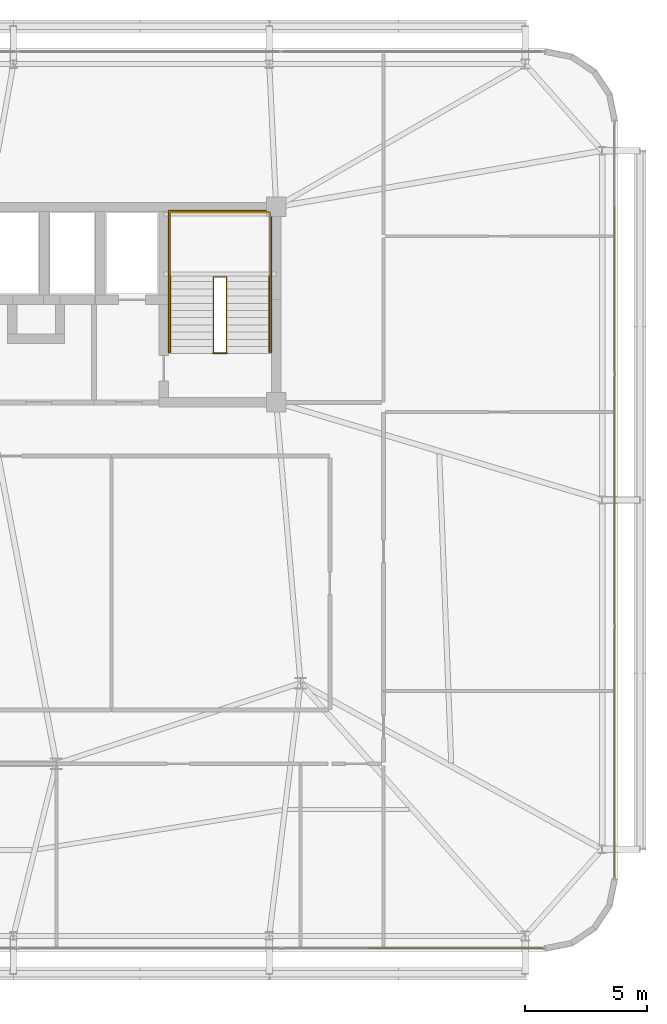
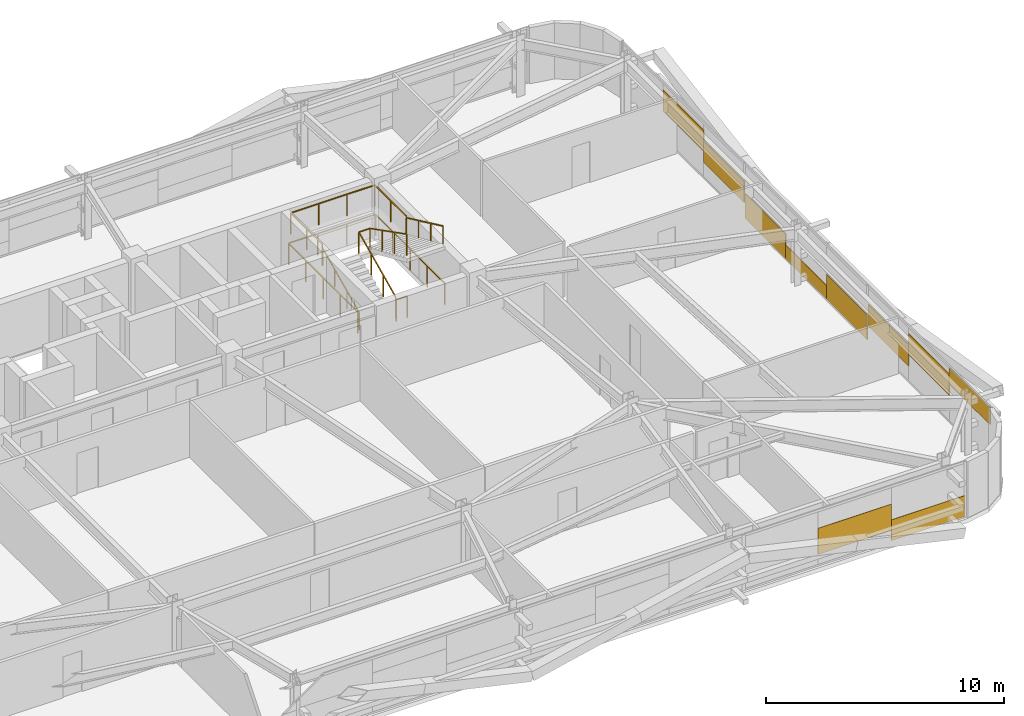
# One storey, part 44 of 45: 10 coverings, 6 railings.
"""IFC4 building model written with IfcOpenShell, lengths in metres."""

from ifc_helpers import new_model, si_unit, direction, frame, origin, origin_2d, place, context, subcontext, project, spatial, rectangle, extrude, source, transform, mapped, material, layer, layer_set, type_object, element, save


model = new_model("IFC4")

# Units and contexts
model_context = context("Model", 3, precision=1e-05, world=origin(), true_north=direction((0.0, 1.0)))
body_context = subcontext(model_context, "Body", "Model", "MODEL_VIEW")
ifc_project = project(units=[si_unit("LENGTHUNIT", "METRE"), si_unit("AREAUNIT", "SQUARE_METRE"), si_unit("VOLUMEUNIT", "CUBIC_METRE"), si_unit("PLANEANGLEUNIT", "RADIAN"), si_unit("MASSUNIT", "GRAM", prefix="KILO")], contexts=[model_context])

# Site, building, storey
site_placement = place(None, origin())
site = spatial("IfcSite", under=ifc_project, at=site_placement, CompositionType="ELEMENT")
building_placement = place(site_placement, origin())
building = spatial("IfcBuilding", under=site, at=building_placement, Name="Taldren Reach Tower", CompositionType="ELEMENT")
storey_placement = place(building_placement, frame((0.0, 0.0, 57.75)))
storey = spatial("IfcBuildingStorey", under=building, at=storey_placement, Name="L17", CompositionType="ELEMENT", Elevation=57.75)

# Railings
ifc_material_1 = material(Name="Steel Gr 350 (C350L0)", Category="steel")
ifc_layer_1 = layer(ifc_material_1, 0.050048828125)
ifc_layer_set_1 = layer_set([ifc_layer_1], Name="Steel Gr 350 (C350L0)")
railing_type_1 = type_object("IfcRailingType", Name="RL-STAIR-GR", PredefinedType="GUARDRAIL", material=ifc_layer_set_1)
railing_1_placement = place(storey_placement, frame((46.659912109375, 29.135009765625, 1.574951171875)))
element("IfcRailing", 1, at=railing_1_placement, inside=storey, type_object=railing_type_1, Name="Stair half-landing perimeter guard ST2-L17", PredefinedType="GUARDRAIL", context=body_context, shape_type="SweptSolid", body=[
    extrude(rectangle(XDim=0.047852, YDim=0.047852, at=origin_2d()), frame((0.0, 0.0, 1.09619140625), z_axis=(0.0, 1.0, 0.0), x_axis=(-1.0, 0.0, 0.0)), (0.0, 0.0, 1.0), 2.64501953125),
    extrude(rectangle(XDim=0.047852, YDim=0.047852, at=origin_2d()), frame((0.0, 2.64501953125, 1.09619140625), z_axis=(1.0, 0.0, 0.0), x_axis=(0.0, 1.0, 0.0)), (0.0, 0.0, 1.0), 4.080078125),
    extrude(rectangle(XDim=0.047852, YDim=0.047852, at=origin_2d()), frame((4.080078125, 2.64501953125, 1.09619140625), z_axis=(0.0, -1.0, 0.0), x_axis=(1.0, 0.0, 0.0)), (0.0, 0.0, 1.0), 2.64501953125),
    extrude(rectangle(XDim=0.041992, YDim=0.041992, at=origin_2d()), origin(), (0.0, 0.0, 1.0), 1.072021484375),
    extrude(rectangle(XDim=0.041992, YDim=0.041992, at=origin_2d()), frame((0.0, 1.322509765625, 0.0)), (0.0, 0.0, 1.0), 1.072021484375),
    extrude(rectangle(XDim=0.041992, YDim=0.041992, at=origin_2d()), frame((0.0, 2.64501953125, 0.0)), (0.0, 0.0, 1.0), 1.072021484375),
    extrude(rectangle(XDim=0.041992, YDim=0.041992, at=origin_2d()), frame((1.360107421875, 2.64501953125, 0.0)), (0.0, 0.0, 1.0), 1.072021484375),
    extrude(rectangle(XDim=0.041992, YDim=0.041992, at=origin_2d()), frame((2.719970703125, 2.64501953125, 0.0)), (0.0, 0.0, 1.0), 1.072021484375),
    extrude(rectangle(XDim=0.041992, YDim=0.041992, at=origin_2d()), frame((4.080078125, 2.64501953125, 0.0)), (0.0, 0.0, 1.0), 1.072021484375),
    extrude(rectangle(XDim=0.041992, YDim=0.041992, at=origin_2d()), frame((4.080078125, 1.322509765625, 0.0)), (0.0, 0.0, 1.0), 1.072021484375),
    extrude(rectangle(XDim=0.041992, YDim=0.041992, at=origin_2d()), frame((4.080078125, 0.0, 0.0)), (0.0, 0.0, 1.0), 1.072021484375),
])
railing_2_placement = place(storey_placement, frame((48.429931640625, 26.050048828125, 0.13134765625)))
element("IfcRailing", 2, at=railing_2_placement, inside=storey, type_object=railing_type_1, Name="Stairwell inner guard ST2-L17", PredefinedType="GUARDRAIL", context=body_context, shape_type="SweptSolid", body=[
    extrude(rectangle(XDim=0.047852, YDim=0.047852, at=origin_2d()), frame((0.0, 0.0, 1.09619140625), z_axis=(0.0, 0.905737652094, 0.423838773095), x_axis=(-1.0, 0.0, 0.0)), (0.0, 0.0, 1.0), 3.406005859375),
    extrude(rectangle(XDim=0.047852, YDim=0.047852, at=origin_2d()), frame((0.0, 3.0849609375, 2.53955078125), z_axis=(1.0, 0.0, 0.0), x_axis=(0.0, 1.0, 0.0)), (0.0, 0.0, 1.0), 0.5400390625),
    extrude(rectangle(XDim=0.047852, YDim=0.047852, at=origin_2d()), frame((0.5400390625, 3.0849609375, 2.53955078125), z_axis=(0.0, -0.890645957773, 0.45469745755), x_axis=(1.0, 0.0, 0.0)), (0.0, 0.0, 1.0), 3.463623046875),
    extrude(rectangle(XDim=0.041992, YDim=0.041992, at=origin_2d()), origin(), (0.0, 0.0, 1.0), 1.072021484375),
    extrude(rectangle(XDim=0.041992, YDim=0.041992, at=origin_2d()), frame((0.0, 1.0283203125, 0.481201171875)), (0.0, 0.0, 1.0), 1.072021484375),
    extrude(rectangle(XDim=0.041992, YDim=0.041992, at=origin_2d()), frame((0.0, 2.056640625, 0.96240234375)), (0.0, 0.0, 1.0), 1.072021484375),
    extrude(rectangle(XDim=0.041992, YDim=0.041992, at=origin_2d()), frame((0.0, 3.0849609375, 1.443603515625)), (0.0, 0.0, 1.0), 1.072021484375),
    extrude(rectangle(XDim=0.041992, YDim=0.041992, at=origin_2d()), frame((0.5400390625, 3.0849609375, 1.443603515625)), (0.0, 0.0, 1.0), 1.072021484375),
    extrude(rectangle(XDim=0.041992, YDim=0.041992, at=origin_2d()), frame((0.5400390625, 2.056640625, 1.968505859375)), (0.0, 0.0, 1.0), 1.072021484375),
    extrude(rectangle(XDim=0.041992, YDim=0.041992, at=origin_2d()), frame((0.5400390625, 1.0283203125, 2.49365234375)), (0.0, 0.0, 1.0), 1.072021484375),
    extrude(rectangle(XDim=0.041992, YDim=0.041992, at=origin_2d()), frame((0.5400390625, 0.0, 3.0185546875)), (0.0, 0.0, 1.0), 1.072021484375),
])
railing_3_placement = place(storey_placement, frame((48.429931640625, 26.010009765625, 0.0)))
element("IfcRailing", 3, at=railing_3_placement, inside=storey, type_object=railing_type_1, Name="Stairwell landing slot guard ST2-L17", PredefinedType="GUARDRAIL", context=body_context, shape_type="SweptSolid", body=[
    extrude(rectangle(XDim=0.047852, YDim=0.047852, at=origin_2d()), frame((0.0, 0.0, 1.09619140625), z_axis=(1.0, 0.0, 0.0), x_axis=(0.0, 1.0, 0.0)), (0.0, 0.0, 1.0), 0.5400390625),
    extrude(rectangle(XDim=0.041992, YDim=0.041992, at=origin_2d()), origin(), (0.0, 0.0, 1.0), 1.072021484375),
    extrude(rectangle(XDim=0.041992, YDim=0.041992, at=origin_2d()), frame((0.5400390625, 0.0, 0.0)), (0.0, 0.0, 1.0), 1.072021484375),
])
railing_4_placement = place(storey_placement, frame((46.590087890625, 26.050048828125, 0.0)))
element("IfcRailing", 4, at=railing_4_placement, inside=storey, type_object=railing_type_1, Name="Stairwell floor opening guard ST2-L17", PredefinedType="GUARDRAIL", context=body_context, shape_type="SweptSolid", body=[
    extrude(rectangle(XDim=0.047852, YDim=0.047852, at=origin_2d()), frame((0.0, 0.0, 1.09619140625), z_axis=(0.0, 1.0, 0.0), x_axis=(-1.0, 0.0, 0.0)), (0.0, 0.0, 1.0), 5.800048828125),
    extrude(rectangle(XDim=0.047852, YDim=0.047852, at=origin_2d()), frame((0.0, 5.800048828125, 1.09619140625), z_axis=(1.0, 0.0, 0.0), x_axis=(0.0, 1.0, 0.0)), (0.0, 0.0, 1.0), 4.219970703125),
    extrude(rectangle(XDim=0.047852, YDim=0.047852, at=origin_2d()), frame((4.219970703125, 5.800048828125, 1.09619140625), z_axis=(0.0, -1.0, 0.0), x_axis=(1.0, 0.0, 0.0)), (0.0, 0.0, 1.0), 5.800048828125),
    extrude(rectangle(XDim=0.041992, YDim=0.041992, at=origin_2d()), origin(), (0.0, 0.0, 1.0), 1.072021484375),
    extrude(rectangle(XDim=0.041992, YDim=0.041992, at=origin_2d()), frame((0.0, 1.449951171875, 0.0)), (0.0, 0.0, 1.0), 1.072021484375),
    extrude(rectangle(XDim=0.041992, YDim=0.041992, at=origin_2d()), frame((0.0, 2.89990234375, 0.0)), (0.0, 0.0, 1.0), 1.072021484375),
    extrude(rectangle(XDim=0.041992, YDim=0.041992, at=origin_2d()), frame((0.0, 4.35009765625, 0.0)), (0.0, 0.0, 1.0), 1.072021484375),
    extrude(rectangle(XDim=0.041992, YDim=0.041992, at=origin_2d()), frame((0.0, 5.800048828125, 0.0)), (0.0, 0.0, 1.0), 1.072021484375),
    extrude(rectangle(XDim=0.041992, YDim=0.041992, at=origin_2d()), frame((1.40673828125, 5.800048828125, 0.0)), (0.0, 0.0, 1.0), 1.072021484375),
    extrude(rectangle(XDim=0.041992, YDim=0.041992, at=origin_2d()), frame((2.813232421875, 5.800048828125, 0.0)), (0.0, 0.0, 1.0), 1.072021484375),
    extrude(rectangle(XDim=0.041992, YDim=0.041992, at=origin_2d()), frame((4.219970703125, 5.800048828125, 0.0)), (0.0, 0.0, 1.0), 1.072021484375),
    extrude(rectangle(XDim=0.041992, YDim=0.041992, at=origin_2d()), frame((4.219970703125, 4.35009765625, 0.0)), (0.0, 0.0, 1.0), 1.072021484375),
    extrude(rectangle(XDim=0.041992, YDim=0.041992, at=origin_2d()), frame((4.219970703125, 2.89990234375, 0.0)), (0.0, 0.0, 1.0), 1.072021484375),
    extrude(rectangle(XDim=0.041992, YDim=0.041992, at=origin_2d()), frame((4.219970703125, 1.449951171875, 0.0)), (0.0, 0.0, 1.0), 1.072021484375),
    extrude(rectangle(XDim=0.041992, YDim=0.041992, at=origin_2d()), frame((4.219970703125, 0.0, 0.0)), (0.0, 0.0, 1.0), 1.072021484375),
])
ifc_material_2 = material(Name="Stainless Steel Gr 316", Category="steel")
ifc_layer_2 = layer(ifc_material_2, 0.048095703125)
ifc_layer_set_2 = layer_set([ifc_layer_2], Name="Stainless Steel Gr 316")
railing_type_2 = type_object("IfcRailingType", Name="RL-STAIR-HR", PredefinedType="HANDRAIL", material=ifc_layer_set_2)
railing_5_placement = place(storey_placement, frame((46.669921875, 26.050048828125, 0.13134765625)))
element("IfcRailing", 5, at=railing_5_placement, inside=storey, type_object=railing_type_2, Name="Stair flight handrail ST2-L17-1", PredefinedType="HANDRAIL", context=body_context, shape_type="SweptSolid", body=[
    extrude(rectangle(XDim=0.047852, YDim=0.047852, at=origin_2d()), frame((0.0, 0.0, 0.89599609375), z_axis=(0.0, 0.905737652094, 0.423838773095), x_axis=(-1.0, 0.0, 0.0)), (0.0, 0.0, 1.0), 3.406005859375),
    extrude(rectangle(XDim=0.041992, YDim=0.041992, at=origin_2d()), origin(), (0.0, 0.0, 1.0), 0.871826171875),
    extrude(rectangle(XDim=0.041992, YDim=0.041992, at=origin_2d()), frame((0.0, 1.0283203125, 0.481201171875)), (0.0, 0.0, 1.0), 0.871826171875),
    extrude(rectangle(XDim=0.041992, YDim=0.041992, at=origin_2d()), frame((0.0, 2.056640625, 0.96240234375)), (0.0, 0.0, 1.0), 0.871826171875),
    extrude(rectangle(XDim=0.041992, YDim=0.041992, at=origin_2d()), frame((0.0, 3.0849609375, 1.443603515625)), (0.0, 0.0, 1.0), 0.871826171875),
])
railing_6_placement = place(storey_placement, frame((50.72998046875, 29.135009765625, 1.706298828125)))
element("IfcRailing", 6, at=railing_6_placement, inside=storey, type_object=railing_type_2, Name="Stair flight handrail ST2-L17-2", PredefinedType="HANDRAIL", context=body_context, shape_type="SweptSolid", body=[
    extrude(rectangle(XDim=0.047852, YDim=0.047852, at=origin_2d()), frame((0.0, 0.0, 0.89599609375), z_axis=(0.0, -0.905737652094, 0.423838773095), x_axis=(1.0, 0.0, 0.0)), (0.0, 0.0, 1.0), 3.406005859375),
    extrude(rectangle(XDim=0.041992, YDim=0.041992, at=origin_2d()), origin(), (0.0, 0.0, 1.0), 0.871826171875),
    extrude(rectangle(XDim=0.041992, YDim=0.041992, at=origin_2d()), frame((0.0, -1.0283203125, 0.481201171875)), (0.0, 0.0, 1.0), 0.871826171875),
    extrude(rectangle(XDim=0.041992, YDim=0.041992, at=origin_2d()), frame((0.0, -2.056640625, 0.96240234375)), (0.0, 0.0, 1.0), 0.871826171875),
    extrude(rectangle(XDim=0.041992, YDim=0.041992, at=origin_2d()), frame((0.0, -3.0849609375, 1.443603515625)), (0.0, 0.0, 1.0), 0.871826171875),
])

# Coverings
ifc_material_3 = material(Name="Pale Champagne Fluoropolymer Aluminium Spandrel Cladding", Category="aluminium")
ifc_layer_3 = layer(ifc_material_3, 0.0439453125)
ifc_layer_set_3 = layer_set([ifc_layer_3], Name="Pale Champagne Fluoropolymer Aluminium Spandrel Cladding")
covering_type = type_object("IfcCoveringType", Name="CV-CLAD-044", PredefinedType="CLADDING", material=ifc_layer_set_3)
shared_shape_1 = source(origin(), body_context, "Body", "SweptSolid", [
    extrude(rectangle(XDim=3.5673828125, YDim=0.0439453125, at=origin_2d()), origin(), (0.0, 0.0, 1.0), 1.339599609375),
])
covering_1_placement = place(storey_placement, frame((56.583740234375, 1.639892578125, 0.59423828125), z_axis=(0.0, 0.0, 1.0), x_axis=(1.0, 0.0, 0.0)))
element("IfcCovering", 7, at=covering_1_placement, inside=storey, type_object=covering_type, Name="Diagrid closure cladding strip CW-2 panel 5.1 2", PredefinedType="CLADDING", context=body_context, shape_type="MappedRepresentation", body=[
    mapped(shared_shape_1, transform((0.0, 0.0, 0.0), scale=1.0)),
])
shared_shape_2 = source(origin(), body_context, "Body", "SweptSolid", [
    extrude(rectangle(XDim=3.5673828125, YDim=0.0439453125, at=origin_2d()), origin(), (0.0, 0.0, 1.0), 1.072021484375),
])
covering_2_placement = place(storey_placement, frame((60.1513671875, 1.639892578125, 0.05517578125), z_axis=(0.0, 0.0, 1.0), x_axis=(1.0, 0.0, 0.0)))
element("IfcCovering", 8, at=covering_2_placement, inside=storey, type_object=covering_type, Name="Diagrid closure cladding strip CW-2 panel 5.1 3", PredefinedType="CLADDING", context=body_context, shape_type="MappedRepresentation", body=[
    mapped(shared_shape_2, transform((0.0, 0.0, 0.0), scale=1.0)),
])
shared_shape_3 = source(origin(), body_context, "Body", "SweptSolid", [
    extrude(rectangle(XDim=3.411865234375, YDim=0.0439453125, at=origin_2d()), origin(), (0.0, 0.0, 1.0), 0.865966796875),
])
covering_3_placement = place(storey_placement, frame((64.860107421875, 6.27099609375, 1.94921875), z_axis=(0.0, 0.0, 1.0), x_axis=(0.0, 1.0, 0.0)))
element("IfcCovering", 9, at=covering_3_placement, inside=storey, type_object=covering_type, Name="Diagrid closure cladding strip CW-2 panel 1.1 1", PredefinedType="CLADDING", context=body_context, shape_type="MappedRepresentation", body=[
    mapped(shared_shape_3, transform((0.0, 0.0, 0.0), scale=1.0)),
])
shared_shape_4 = source(origin(), body_context, "Body", "SweptSolid", [
    extrude(rectangle(XDim=3.411865234375, YDim=0.0439453125, at=origin_2d()), origin(), (0.0, 0.0, 1.0), 1.092529296875),
])
for number, where, z_axis, x_axis, name in (
    (10, (64.860107421875, 9.682861328125, 1.3837890625), (0.0, 0.0, 1.0), (0.0, 1.0, 0.0), "Diagrid closure cladding strip CW-2 panel 1.1 2"),
    (11, (64.860107421875, 13.094970703125, 0.818359375), (0.0, 0.0, 1.0), (0.0, 1.0, 0.0), "Diagrid closure cladding strip CW-2 panel 1.1 3"),
    (12, (64.860107421875, 26.905029296875, 0.818359375), (0.0, 0.0, 1.0), (0.0, 1.0, 0.0), "Diagrid closure cladding strip CW-2 panel 3.1 1"),
    (13, (64.860107421875, 30.317138671875, 1.3837890625), (0.0, 0.0, 1.0), (0.0, 1.0, 0.0), "Diagrid closure cladding strip CW-2 panel 3.1 2"),
):
    element("IfcCovering", number, at=place(storey_placement, frame(where, z_axis=z_axis, x_axis=x_axis)), inside=storey, type_object=covering_type, Name=name, PredefinedType="CLADDING", context=body_context, shape_type="MappedRepresentation", body=[
        mapped(shared_shape_4, transform((0.0, 0.0, 0.0), scale=1.0)),
    ])
shared_shape_5 = source(origin(), body_context, "Body", "SweptSolid", [
    extrude(rectangle(XDim=3.4228515625, YDim=0.0439453125, at=origin_2d()), origin(), (0.0, 0.0, 1.0), 1.279296875),
])
for number, where, z_axis, x_axis, name in (
    (14, (64.860107421875, 16.5771484375, 0.054931640625), (0.0, 0.0, 1.0), (0.0, 1.0, 0.0), "Diagrid closure cladding strip CW-2 panel 2.1 1"),
    (15, (64.860107421875, 23.4228515625, 0.054931640625), (0.0, 0.0, 1.0), (0.0, 1.0, 0.0), "Diagrid closure cladding strip CW-2 panel 2.1 3"),
):
    element("IfcCovering", number, at=place(storey_placement, frame(where, z_axis=z_axis, x_axis=x_axis)), inside=storey, type_object=covering_type, Name=name, PredefinedType="CLADDING", context=body_context, shape_type="MappedRepresentation", body=[
        mapped(shared_shape_5, transform((0.0, 0.0, 0.0), scale=1.0)),
    ])
shared_shape_6 = source(origin(), body_context, "Body", "SweptSolid", [
    extrude(rectangle(XDim=3.4228515625, YDim=0.0439453125, at=origin_2d()), origin(), (0.0, 0.0, 1.0), 0.712158203125),
])
covering_4_placement = place(storey_placement, frame((64.860107421875, 20.0, 0.05517578125), z_axis=(0.0, 0.0, 1.0), x_axis=(0.0, 1.0, 0.0)))
element("IfcCovering", 16, at=covering_4_placement, inside=storey, type_object=covering_type, Name="Diagrid closure cladding strip CW-2 panel 2.1 2", PredefinedType="CLADDING", context=body_context, shape_type="MappedRepresentation", body=[
    mapped(shared_shape_6, transform((0.0, 0.0, 0.0), scale=1.0)),
])

save(model, "model.ifc")
